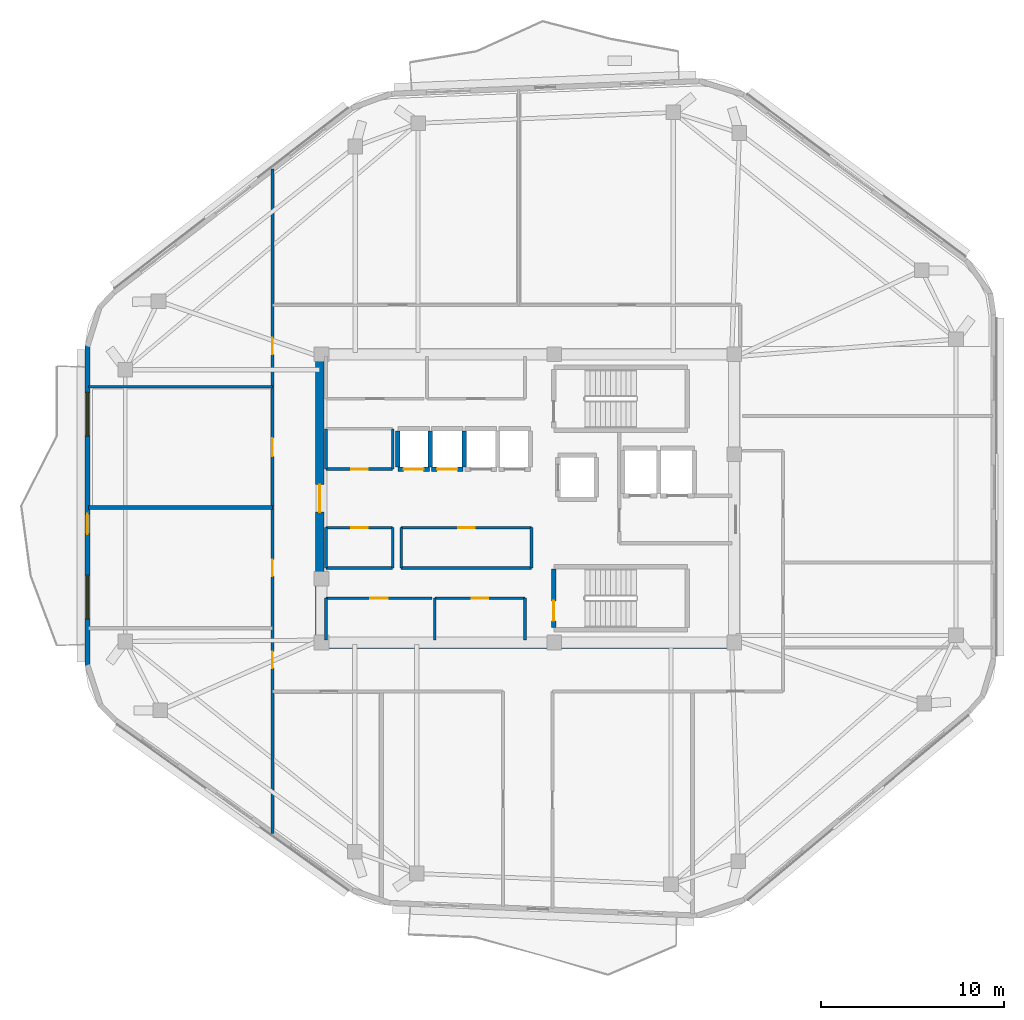
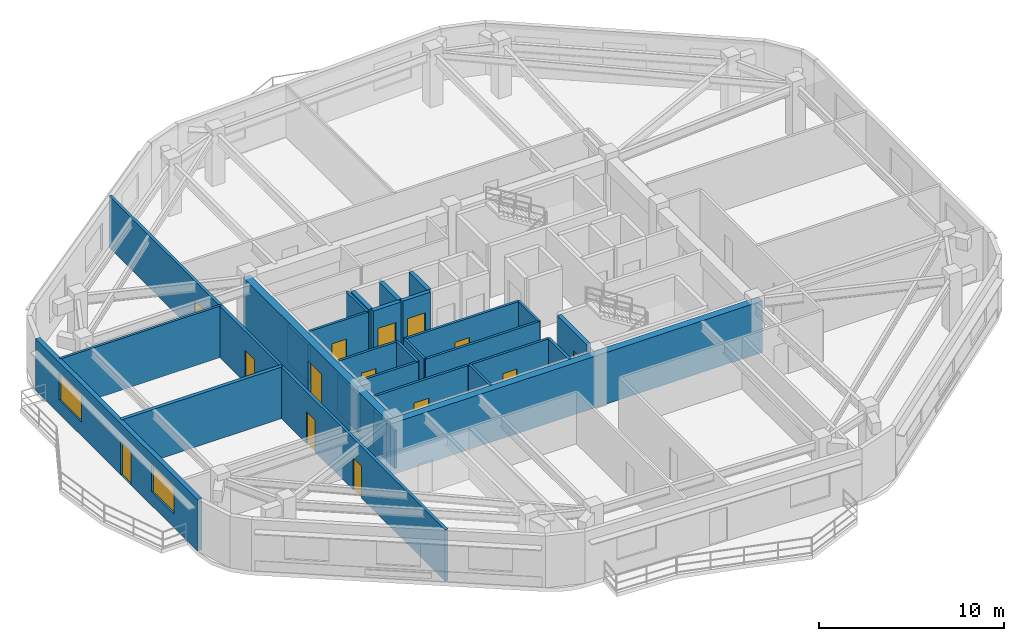
# One storey, part 3 of 9: 28 walls, 14 doors, 2 windows, 16 openings.
"""IFC4 building model written with IfcOpenShell, lengths in metres."""

from ifc_helpers import new_model, si_unit, direction, frame, frame_2d, origin, place, context, subcontext, project, spatial, rectangle, extrude, material, layer, layer_set, type_object, element, fill, save


model = new_model("IFC4")

# Units and contexts
model_context = context("Model", 3, precision=1e-05, world=origin(), true_north=direction((0.0, 1.0)))
body_context = subcontext(model_context, "Body", "Model", "MODEL_VIEW")
ifc_project = project(units=[si_unit("LENGTHUNIT", "METRE"), si_unit("AREAUNIT", "SQUARE_METRE"), si_unit("VOLUMEUNIT", "CUBIC_METRE"), si_unit("PLANEANGLEUNIT", "RADIAN"), si_unit("MASSUNIT", "GRAM", prefix="KILO")], contexts=[model_context])

# Site, building, storey
site_placement = place(None, origin())
site = spatial("IfcSite", under=ifc_project, at=site_placement, CompositionType="ELEMENT")
building_placement = place(site_placement, origin())
building = spatial("IfcBuilding", under=site, at=building_placement, Name="Zulverin Broadcast Headquarters", CompositionType="ELEMENT")
storey_placement = place(building_placement, frame((0.0, 0.0, 304.800048828125)))
storey = spatial("IfcBuildingStorey", under=building, at=storey_placement, Name="L78", CompositionType="ELEMENT", Elevation=304.800048828125)

# Walls
ifc_material_1 = material(Name="Double-stud acoustic drywall", Category="gypsum")
ifc_layer_1 = layer(ifc_material_1, 0.219970703125, Name="Double-stud acoustic drywall", Category="gypsum")
ifc_layer_set_1 = layer_set([ifc_layer_1], Name="Double-stud acoustic drywall")
wall_type_1 = type_object("IfcWallType", Name="WL-ACOU-220", PredefinedType="PARTITIONING", material=ifc_layer_set_1)
wall_1_placement = place(storey_placement, frame((13.0048828125, 24.699951171875, 0.0), z_axis=(0.0, 0.0, 1.0), x_axis=(1.0, 0.0, 0.0)))
element("IfcWall", 1, at=wall_1_placement, inside=storey, type_object=wall_type_1, Name="L78 Room Partition Wall RP-14", PredefinedType="PARTITIONING", context=body_context, shape_type="SweptSolid", body=[
    extrude(rectangle(XDim=10.045166015625, YDim=0.219970703125, at=frame_2d((5.0224609375, 0.0))), origin(), (0.0, 0.0, 1.0), 3.39990234375),
])
ifc_material_2 = material(Name="Concrete C50/60", Category="concrete")
ifc_layer_2 = layer(ifc_material_2, 0.449951171875, Name="Concrete C50/60", Category="concrete")
ifc_layer_set_2 = layer_set([ifc_layer_2], Name="Concrete C50/60")
wall_type_2 = type_object("IfcWallType", Name="WL-CORE-450", PredefinedType="SHEAR", material=ifc_layer_set_2)
wall_2_placement = place(storey_placement, frame((25.39990234375, 17.22509765625, 0.0), z_axis=(0.0, 0.0, 1.0), x_axis=(1.0, 0.0, 0.0)))
element("IfcWall", 2, at=wall_2_placement, inside=storey, type_object=wall_type_2, Name="L78 Core South Shear Wall", PredefinedType="SHEAR", context=body_context, shape_type="SweptSolid", body=[
    extrude(rectangle(XDim=23.2001953125, YDim=0.449951171875, at=frame_2d((11.60009765625, 0.0))), origin(), (0.0, 0.0, 1.0), 3.39990234375),
])

# Wall, opening, door
wall_3_placement = place(storey_placement, frame((25.625, 17.449951171875, 0.0), z_axis=(0.0, 0.0, 1.0), x_axis=(0.0, 1.0, 0.0)))
wall_3 = element("IfcWall", 3, at=wall_3_placement, inside=storey, type_object=wall_type_2, Name="L78 Core West Shear Wall", PredefinedType="SHEAR", context=body_context, shape_type="SweptSolid", body=[
    extrude(rectangle(XDim=15.5, YDim=0.449951171875, at=frame_2d((7.75, 0.0))), origin(), (0.0, 0.0, 1.0), 3.39990234375),
])
opening_1_placement = place(wall_3_placement, frame((7.0, 0.0, 0.0)))
opening_1 = element("IfcOpeningElement", 4, at=opening_1_placement, cuts=wall_3, Name="Opening D-L78-CW1", PredefinedType="OPENING", context=body_context, shape_type="SweptSolid", body=[
    extrude(rectangle(XDim=1.5, YDim=2.14990234375, at=frame_2d((0.75, 1.074951171875))), frame((0.0, 0.23486328125, 0.0), z_axis=(0.0, -1.0, 0.0), x_axis=(1.0, 0.0, 0.0)), (0.0, 0.0, 1.0), 0.469970703125),
])
ifc_material_3 = material(Name="Fire-rated glazed steel frame", Category="steel")
door_type_1 = type_object("IfcDoorType", Name="DR-COR-1500", OperationType="DOUBLE_DOOR_SINGLE_SWING", PredefinedType="DOOR", material=ifc_material_3)
door_1_placement = place(opening_1_placement, origin())
door_1 = element("IfcDoor", 5, at=door_1_placement, inside=storey, type_object=door_type_1, Name="L78 Central Lift Lobby West Portal Door", OperationType="DOUBLE_DOOR_SINGLE_SWING", OverallHeight=2.14990234375, OverallWidth=1.5, PredefinedType="DOOR", context=body_context, shape_type="SweptSolid", body=[
    extrude(rectangle(XDim=1.5, YDim=2.14990234375, at=frame_2d((0.75, 1.074951171875))), frame((0.0, 0.02490234375, 0.0), z_axis=(0.0, -1.0, 0.0), x_axis=(1.0, 0.0, 0.0)), (0.0, 0.0, 1.0), 0.050048828125),
])
fill(opening_1, door_1)

# Wall, openings, door, windows
ifc_material_4 = material(Name="Insulated pale-metal clad concrete spandrel C40/50", Category="concrete")
ifc_layer_3 = layer(ifc_material_4, 0.280029296875, Name="Insulated pale-metal clad concrete spandrel C40/50", Category="concrete")
ifc_layer_set_3 = layer_set([ifc_layer_3], Name="Insulated pale-metal clad concrete spandrel C40/50")
wall_type_3 = type_object("IfcWallType", Name="WL-EXT-280", PredefinedType="STANDARD", material=ifc_layer_set_3)
wall_4_placement = place(storey_placement, frame((12.93994140625, 33.548095703125, 0.0), z_axis=(0.0, 0.0, 1.0), x_axis=(0.0, -1.0, 0.0)))
wall_4 = element("IfcWall", 6, at=wall_4_placement, inside=storey, type_object=wall_type_3, Name="L78 Pale-Metal Clad Spandrel Wall 7", PredefinedType="STANDARD", context=body_context, shape_type="SweptSolid", body=[
    extrude(rectangle(XDim=17.496337890625, YDim=0.280029296875, at=frame_2d((8.748046875, 0.0))), origin(), (0.0, 0.0, 1.0), 3.39990234375),
])
opening_2_placement = place(wall_4_placement, frame((9.1982421875, 0.0, 0.0)))
opening_2 = element("IfcOpeningElement", 7, at=opening_2_placement, cuts=wall_4, Name="Opening D-L78-TR7", PredefinedType="OPENING", context=body_context, shape_type="SweptSolid", body=[
    extrude(rectangle(XDim=1.10009765625, YDim=2.199951171875, at=frame_2d((0.550048828125, 1.10009765625))), frame((0.0, 0.14990234375, 0.0), z_axis=(0.0, -1.0, 0.0), x_axis=(1.0, 0.0, 0.0)), (0.0, 0.0, 1.0), 0.300048828125),
])
opening_3_placement = place(wall_4_placement, frame((2.54931640625, 0.0, 0.89990234375)))
opening_3 = element("IfcOpeningElement", 8, at=opening_3_placement, cuts=wall_4, Name="Opening W-L78-E71", PredefinedType="OPENING", context=body_context, shape_type="SweptSolid", body=[
    extrude(rectangle(XDim=2.39990234375, YDim=1.75, at=frame_2d((1.199951171875, 0.875))), frame((0.0, 0.14990234375, 0.0), z_axis=(0.0, -1.0, 0.0), x_axis=(1.0, 0.0, 0.0)), (0.0, 0.0, 1.0), 0.300048828125),
])
opening_4_placement = place(wall_4_placement, frame((12.546875, 0.0, 0.89990234375)))
opening_4 = element("IfcOpeningElement", 9, at=opening_4_placement, cuts=wall_4, Name="Opening W-L78-E72", PredefinedType="OPENING", context=body_context, shape_type="SweptSolid", body=[
    extrude(rectangle(XDim=2.39990234375, YDim=1.75, at=frame_2d((1.199951171875, 0.875))), frame((0.0, 0.14990234375, 0.0), z_axis=(0.0, -1.0, 0.0), x_axis=(1.0, 0.0, 0.0)), (0.0, 0.0, 1.0), 0.300048828125),
])
ifc_material_5 = material(Name="Thermally broken aluminium glazed", Category="aluminium")
door_type_2 = type_object("IfcDoorType", Name="DR-TERR-1100", OperationType="SINGLE_SWING_RIGHT", PredefinedType="DOOR", material=ifc_material_5)
door_2_placement = place(opening_2_placement, origin())
door_2 = element("IfcDoor", 10, at=door_2_placement, inside=storey, type_object=door_type_2, Name="L78 Planted Terrace Glazed Access Door 7", OperationType="SINGLE_SWING_RIGHT", OverallHeight=2.199951171875, OverallWidth=1.10009765625, PredefinedType="DOOR", context=body_context, shape_type="SweptSolid", body=[
    extrude(rectangle(XDim=1.10009765625, YDim=2.199951171875, at=frame_2d((0.550048828125, 1.10009765625))), frame((0.0, 0.02490234375, 0.0), z_axis=(0.0, -1.0, 0.0), x_axis=(1.0, 0.0, 0.0)), (0.0, 0.0, 1.0), 0.050048828125),
])
fill(opening_2, door_2)
ifc_material_6 = material(Name="Pale anodized aluminium frame with solar-control low-E double glazing", Category="aluminium")
window_type = type_object("IfcWindowType", Name="WIN-RIB-2400", PartitioningType="SINGLE_PANEL", PredefinedType="WINDOW", material=ifc_material_6)
window_1_placement = place(opening_3_placement, origin())
window_1 = element("IfcWindow", 11, at=window_1_placement, inside=storey, type_object=window_type, Name="L78 Ribbon Glazing Window 7 1", OverallHeight=1.75, OverallWidth=2.39990234375, PartitioningType="SINGLE_PANEL", PredefinedType="WINDOW", context=body_context, shape_type="SweptSolid", body=[
    extrude(rectangle(XDim=2.39990234375, YDim=1.75, at=frame_2d((1.199951171875, 0.875))), frame((0.0, 0.030029296875, 0.0), z_axis=(0.0, -1.0, 0.0), x_axis=(1.0, 0.0, 0.0)), (0.0, 0.0, 1.0), 0.06005859375),
])
fill(opening_3, window_1)
window_2_placement = place(opening_4_placement, origin())
window_2 = element("IfcWindow", 12, at=window_2_placement, inside=storey, type_object=window_type, Name="L78 Ribbon Glazing Window 7 2", OverallHeight=1.75, OverallWidth=2.39990234375, PartitioningType="SINGLE_PANEL", PredefinedType="WINDOW", context=body_context, shape_type="SweptSolid", body=[
    extrude(rectangle(XDim=2.39990234375, YDim=1.75, at=frame_2d((1.199951171875, 0.875))), frame((0.0, 0.030029296875, 0.0), z_axis=(0.0, -1.0, 0.0), x_axis=(1.0, 0.0, 0.0)), (0.0, 0.0, 1.0), 0.06005859375),
])
fill(opening_4, window_2)

# Wall, opening, door
ifc_material_7 = material(Name="Fire-rated gypsum stud partition", Category="gypsum")
ifc_layer_4 = layer(ifc_material_7, 0.14990234375, Name="Fire-rated gypsum stud partition", Category="gypsum")
ifc_layer_set_4 = layer_set([ifc_layer_4], Name="Fire-rated gypsum stud partition")
wall_type_4 = type_object("IfcWallType", Name="WL-PART-150", PredefinedType="PARTITIONING", material=ifc_layer_set_4)
wall_5_placement = place(storey_placement, frame((25.969970703125, 19.75, 0.0), z_axis=(0.0, 0.0, 1.0), x_axis=(1.0, 0.0, 0.0)))
wall_5 = element("IfcWall", 13, at=wall_5_placement, inside=storey, type_object=wall_type_4, Name="L78 Core Female WC Front Wall", PredefinedType="PARTITIONING", context=body_context, shape_type="SweptSolid", body=[
    extrude(rectangle(XDim=5.7900390625, YDim=0.14990234375, at=frame_2d((2.89501953125, 0.0))), origin(), (0.0, 0.0, 1.0), 3.39990234375),
])
opening_5_placement = place(wall_5_placement, frame((2.419921875, 0.0, 0.0)))
opening_5 = element("IfcOpeningElement", 14, at=opening_5_placement, cuts=wall_5, Name="Opening D-L78-SC1", PredefinedType="OPENING", context=body_context, shape_type="SweptSolid", body=[
    extrude(rectangle(XDim=0.949951171875, YDim=2.10009765625, at=frame_2d((0.47509765625, 1.050048828125))), frame((0.0, 0.0849609375, 0.0), z_axis=(0.0, -1.0, 0.0), x_axis=(1.0, 0.0, 0.0)), (0.0, 0.0, 1.0), 0.169921875),
])
ifc_material_8 = material(Name="Fire-rated moisture-resistant laminate leaf", Category="wood")
door_type_3 = type_object("IfcDoorType", Name="DR-WC-950", OperationType="SINGLE_SWING_LEFT", PredefinedType="DOOR", material=ifc_material_8)
door_3_placement = place(opening_5_placement, origin())
door_3 = element("IfcDoor", 15, at=door_3_placement, inside=storey, type_object=door_type_3, Name="L78 Female WC Door", OperationType="SINGLE_SWING_LEFT", OverallHeight=2.10009765625, OverallWidth=0.949951171875, PredefinedType="DOOR", context=body_context, shape_type="SweptSolid", body=[
    extrude(rectangle(XDim=0.949951171875, YDim=2.10009765625, at=frame_2d((0.47509765625, 1.050048828125))), frame((0.0, 0.02490234375, 0.0), z_axis=(0.0, -1.0, 0.0), x_axis=(1.0, 0.0, 0.0)), (0.0, 0.0, 1.0), 0.050048828125),
])
fill(opening_5, door_3)

# Wall
wall_6_placement = place(storey_placement, frame((25.969970703125, 17.449951171875, 0.0), z_axis=(0.0, 0.0, 1.0), x_axis=(0.0, 1.0, 0.0)))
element("IfcWall", 16, at=wall_6_placement, inside=storey, type_object=wall_type_4, Name="L78 Core Female WC West Wall", PredefinedType="PARTITIONING", context=body_context, shape_type="SweptSolid", body=[
    extrude(rectangle(XDim=2.300048828125, YDim=0.14990234375, at=frame_2d((1.14990234375, 0.0))), origin(), (0.0, 0.0, 1.0), 2.5),
])

# Wall, opening, door
wall_7_placement = place(storey_placement, frame((31.919921875, 19.75, 0.0), z_axis=(0.0, 0.0, 1.0), x_axis=(1.0, 0.0, 0.0)))
wall_7 = element("IfcWall", 17, at=wall_7_placement, inside=storey, type_object=wall_type_4, Name="L78 Core Cleaner Store & Telecoms Riser Front Wall", PredefinedType="PARTITIONING", context=body_context, shape_type="SweptSolid", body=[
    extrude(rectangle(XDim=4.93017578125, YDim=0.14990234375, at=frame_2d((2.465087890625, 0.0))), origin(), (0.0, 0.0, 1.0), 3.39990234375),
])
opening_6_placement = place(wall_7_placement, frame((2.014892578125, 0.0, 0.0)))
opening_6 = element("IfcOpeningElement", 18, at=opening_6_placement, cuts=wall_7, Name="Opening D-L78-SC2", PredefinedType="OPENING", context=body_context, shape_type="SweptSolid", body=[
    extrude(rectangle(XDim=0.89990234375, YDim=2.10009765625, at=frame_2d((0.449951171875, 1.050048828125))), frame((0.0, 0.0849609375, 0.0), z_axis=(0.0, -1.0, 0.0), x_axis=(1.0, 0.0, 0.0)), (0.0, 0.0, 1.0), 0.169921875),
])
ifc_material_9 = material(Name="Powder-coated steel access leaf", Category="steel")
door_type_4 = type_object("IfcDoorType", Name="DR-RISER-900", OperationType="SINGLE_SWING_LEFT", PredefinedType="DOOR", material=ifc_material_9)
door_4_placement = place(opening_6_placement, origin())
door_4 = element("IfcDoor", 19, at=door_4_placement, inside=storey, type_object=door_type_4, Name="L78 Cleaner Store & Telecoms Riser Door", OperationType="SINGLE_SWING_RIGHT", OverallHeight=2.10009765625, OverallWidth=0.89990234375, PredefinedType="DOOR", context=body_context, shape_type="SweptSolid", body=[
    extrude(rectangle(XDim=0.89990234375, YDim=2.10009765625, at=frame_2d((0.449951171875, 1.050048828125))), frame((0.0, 0.02490234375, 0.0), z_axis=(0.0, -1.0, 0.0), x_axis=(1.0, 0.0, 0.0)), (0.0, 0.0, 1.0), 0.050048828125),
])
fill(opening_6, door_4)

# Walls
for number, where, z_axis, x_axis, name in (
    (20, (31.919921875, 17.449951171875, 0.0), (0.0, 0.0, 1.0), (0.0, 1.0, 0.0), "L78 Core Cleaner Store & Telecoms Riser West Wall"),
    (21, (36.85009765625, 17.449951171875, 0.0), (0.0, 0.0, 1.0), (0.0, 1.0, 0.0), "L78 Core Cleaner Store & Telecoms Riser East Wall"),
):
    element("IfcWall", number, at=place(storey_placement, frame(where, z_axis=z_axis, x_axis=x_axis)), inside=storey, type_object=wall_type_4, Name=name, PredefinedType="PARTITIONING", context=body_context, shape_type="SweptSolid", body=[
        extrude(rectangle(XDim=2.300048828125, YDim=0.14990234375, at=frame_2d((1.14990234375, 0.0))), origin(), (0.0, 0.0, 1.0), 3.39990234375),
    ])

# Wall, opening, door
wall_8_placement = place(storey_placement, frame((25.969970703125, 26.800048828125, 0.0), z_axis=(0.0, 0.0, 1.0), x_axis=(1.0, 0.0, 0.0)))
wall_8 = element("IfcWall", 22, at=wall_8_placement, inside=storey, type_object=wall_type_4, Name="L78 Broadcast Signal Patch Room S Wall", PredefinedType="PARTITIONING", context=body_context, shape_type="SweptSolid", body=[
    extrude(rectangle(XDim=3.650146484375, YDim=0.14990234375, at=frame_2d((1.8251953125, 0.0))), origin(), (0.0, 0.0, 1.0), 3.39990234375),
])
opening_7_placement = place(wall_8_placement, frame((1.375, 0.0, 0.0)))
opening_7 = element("IfcOpeningElement", 23, at=opening_7_placement, cuts=wall_8, Name="Opening D-L78-RCLN", PredefinedType="OPENING", context=body_context, shape_type="SweptSolid", body=[
    extrude(rectangle(XDim=0.89990234375, YDim=2.10009765625, at=frame_2d((0.449951171875, 1.050048828125))), frame((0.0, 0.0849609375, 0.0), z_axis=(0.0, -1.0, 0.0), x_axis=(1.0, 0.0, 0.0)), (0.0, 0.0, 1.0), 0.169921875),
])
door_5_placement = place(opening_7_placement, origin())
door_5 = element("IfcDoor", 24, at=door_5_placement, inside=storey, type_object=door_type_4, Name="L78 Broadcast Signal Patch Room Door", OperationType="SINGLE_SWING_LEFT", OverallHeight=2.10009765625, OverallWidth=0.89990234375, PredefinedType="DOOR", context=body_context, shape_type="SweptSolid", body=[
    extrude(rectangle(XDim=0.89990234375, YDim=2.10009765625, at=frame_2d((0.449951171875, 1.050048828125))), frame((0.0, 0.02490234375, 0.0), z_axis=(0.0, -1.0, 0.0), x_axis=(1.0, 0.0, 0.0)), (0.0, 0.0, 1.0), 0.050048828125),
])
fill(opening_7, door_5)

# Walls
wall_9_placement = place(storey_placement, frame((25.969970703125, 26.800048828125, 0.0), z_axis=(0.0, 0.0, 1.0), x_axis=(0.0, 1.0, 0.0)))
element("IfcWall", 25, at=wall_9_placement, inside=storey, type_object=wall_type_4, Name="L78 Broadcast Signal Patch Room W Wall", PredefinedType="PARTITIONING", context=body_context, shape_type="SweptSolid", body=[
    extrude(rectangle(XDim=2.199951171875, YDim=0.14990234375, at=frame_2d((1.10009765625, 0.0))), origin(), (0.0, 0.0, 1.0), 2.5),
])
wall_10_placement = place(storey_placement, frame((29.6201171875, 26.800048828125, 0.0), z_axis=(0.0, 0.0, 1.0), x_axis=(0.0, 1.0, 0.0)))
element("IfcWall", 26, at=wall_10_placement, inside=storey, type_object=wall_type_4, Name="L78 Broadcast Signal Patch Room E Wall", PredefinedType="PARTITIONING", context=body_context, shape_type="SweptSolid", body=[
    extrude(rectangle(XDim=2.199951171875, YDim=0.14990234375, at=frame_2d((1.10009765625, 0.0))), origin(), (0.0, 0.0, 1.0), 3.39990234375),
])
wall_11_placement = place(storey_placement, frame((25.969970703125, 21.39990234375, 0.0), z_axis=(0.0, 0.0, 1.0), x_axis=(1.0, 0.0, 0.0)))
element("IfcWall", 27, at=wall_11_placement, inside=storey, type_object=wall_type_4, Name="L78 Media Ingestion Server Room S Wall", PredefinedType="PARTITIONING", context=body_context, shape_type="SweptSolid", body=[
    extrude(rectangle(XDim=3.650146484375, YDim=0.14990234375, at=frame_2d((1.8251953125, 0.0))), origin(), (0.0, 0.0, 1.0), 3.39990234375),
])

# Wall, opening, door
wall_12_placement = place(storey_placement, frame((25.969970703125, 23.60009765625, 0.0), z_axis=(0.0, 0.0, 1.0), x_axis=(1.0, 0.0, 0.0)))
wall_12 = element("IfcWall", 28, at=wall_12_placement, inside=storey, type_object=wall_type_4, Name="L78 Media Ingestion Server Room N Wall", PredefinedType="PARTITIONING", context=body_context, shape_type="SweptSolid", body=[
    extrude(rectangle(XDim=3.650146484375, YDim=0.14990234375, at=frame_2d((1.8251953125, 0.0))), origin(), (0.0, 0.0, 1.0), 3.39990234375),
])
opening_8_placement = place(wall_12_placement, frame((1.375, 0.0, 0.0)))
opening_8 = element("IfcOpeningElement", 29, at=opening_8_placement, cuts=wall_12, Name="Opening D-L78-RCLS", PredefinedType="OPENING", context=body_context, shape_type="SweptSolid", body=[
    extrude(rectangle(XDim=0.89990234375, YDim=2.10009765625, at=frame_2d((0.449951171875, 1.050048828125))), frame((0.0, 0.0849609375, 0.0), z_axis=(0.0, -1.0, 0.0), x_axis=(1.0, 0.0, 0.0)), (0.0, 0.0, 1.0), 0.169921875),
])
door_6_placement = place(opening_8_placement, origin())
door_6 = element("IfcDoor", 30, at=door_6_placement, inside=storey, type_object=door_type_4, Name="L78 Media Ingestion Server Room Door", OperationType="SINGLE_SWING_RIGHT", OverallHeight=2.10009765625, OverallWidth=0.89990234375, PredefinedType="DOOR", context=body_context, shape_type="SweptSolid", body=[
    extrude(rectangle(XDim=0.89990234375, YDim=2.10009765625, at=frame_2d((0.449951171875, 1.050048828125))), frame((0.0, 0.02490234375, 0.0), z_axis=(0.0, -1.0, 0.0), x_axis=(1.0, 0.0, 0.0)), (0.0, 0.0, 1.0), 0.050048828125),
])
fill(opening_8, door_6)

# Walls
wall_13_placement = place(storey_placement, frame((25.969970703125, 21.39990234375, 0.0), z_axis=(0.0, 0.0, 1.0), x_axis=(0.0, 1.0, 0.0)))
element("IfcWall", 31, at=wall_13_placement, inside=storey, type_object=wall_type_4, Name="L78 Media Ingestion Server Room W Wall", PredefinedType="PARTITIONING", context=body_context, shape_type="SweptSolid", body=[
    extrude(rectangle(XDim=2.2001953125, YDim=0.14990234375, at=frame_2d((1.10009765625, 0.0))), origin(), (0.0, 0.0, 1.0), 2.5),
])
wall_14_placement = place(storey_placement, frame((29.6201171875, 21.39990234375, 0.0), z_axis=(0.0, 0.0, 1.0), x_axis=(0.0, 1.0, 0.0)))
element("IfcWall", 32, at=wall_14_placement, inside=storey, type_object=wall_type_4, Name="L78 Media Ingestion Server Room E Wall", PredefinedType="PARTITIONING", context=body_context, shape_type="SweptSolid", body=[
    extrude(rectangle(XDim=2.2001953125, YDim=0.14990234375, at=frame_2d((1.10009765625, 0.0))), origin(), (0.0, 0.0, 1.0), 3.39990234375),
])
wall_15_placement = place(storey_placement, frame((30.080078125, 21.39990234375, 0.0), z_axis=(0.0, 0.0, 1.0), x_axis=(1.0, 0.0, 0.0)))
element("IfcWall", 33, at=wall_15_placement, inside=storey, type_object=wall_type_4, Name="L78 Optical Telemetry Hub Room S Wall", PredefinedType="PARTITIONING", context=body_context, shape_type="SweptSolid", body=[
    extrude(rectangle(XDim=7.119873046875, YDim=0.14990234375, at=frame_2d((3.56005859375, 0.0))), origin(), (0.0, 0.0, 1.0), 3.39990234375),
])

# Wall, opening, door
wall_16_placement = place(storey_placement, frame((30.080078125, 23.60009765625, 0.0), z_axis=(0.0, 0.0, 1.0), x_axis=(1.0, 0.0, 0.0)))
wall_16 = element("IfcWall", 34, at=wall_16_placement, inside=storey, type_object=wall_type_4, Name="L78 Optical Telemetry Hub Room N Wall", PredefinedType="PARTITIONING", context=body_context, shape_type="SweptSolid", body=[
    extrude(rectangle(XDim=7.119873046875, YDim=0.14990234375, at=frame_2d((3.56005859375, 0.0))), origin(), (0.0, 0.0, 1.0), 3.39990234375),
])
opening_9_placement = place(wall_16_placement, frame((3.110107421875, 0.0, 0.0)))
opening_9 = element("IfcOpeningElement", 35, at=opening_9_placement, cuts=wall_16, Name="Opening D-L78-RM1", PredefinedType="OPENING", context=body_context, shape_type="SweptSolid", body=[
    extrude(rectangle(XDim=0.89990234375, YDim=2.10009765625, at=frame_2d((0.449951171875, 1.050048828125))), frame((0.0, 0.0849609375, 0.0), z_axis=(0.0, -1.0, 0.0), x_axis=(1.0, 0.0, 0.0)), (0.0, 0.0, 1.0), 0.169921875),
])
door_7_placement = place(opening_9_placement, origin())
door_7 = element("IfcDoor", 36, at=door_7_placement, inside=storey, type_object=door_type_4, Name="L78 Optical Telemetry Hub Room Door", OperationType="SINGLE_SWING_LEFT", OverallHeight=2.10009765625, OverallWidth=0.89990234375, PredefinedType="DOOR", context=body_context, shape_type="SweptSolid", body=[
    extrude(rectangle(XDim=0.89990234375, YDim=2.10009765625, at=frame_2d((0.449951171875, 1.050048828125))), frame((0.0, 0.02490234375, 0.0), z_axis=(0.0, -1.0, 0.0), x_axis=(1.0, 0.0, 0.0)), (0.0, 0.0, 1.0), 0.050048828125),
])
fill(opening_9, door_7)

# Walls
for number, where, z_axis, x_axis, name in (
    (37, (30.080078125, 21.39990234375, 0.0), (0.0, 0.0, 1.0), (0.0, 1.0, 0.0), "L78 Optical Telemetry Hub Room W Wall"),
    (38, (37.199951171875, 21.39990234375, 0.0), (0.0, 0.0, 1.0), (0.0, 1.0, 0.0), "L78 Optical Telemetry Hub Room E Wall"),
):
    element("IfcWall", number, at=place(storey_placement, frame(where, z_axis=z_axis, x_axis=x_axis)), inside=storey, type_object=wall_type_4, Name=name, PredefinedType="PARTITIONING", context=body_context, shape_type="SweptSolid", body=[
        extrude(rectangle(XDim=2.2001953125, YDim=0.14990234375, at=frame_2d((1.10009765625, 0.0))), origin(), (0.0, 0.0, 1.0), 3.39990234375),
    ])
wall_17_placement = place(storey_placement, frame((13.0048828125, 31.300048828125, 0.0), z_axis=(0.0, 0.0, 1.0), x_axis=(1.0, 0.0, 0.0)))
element("IfcWall", 39, at=wall_17_placement, inside=storey, type_object=wall_type_4, Name="L78 Room Partition Wall RP-17", PredefinedType="PARTITIONING", context=body_context, shape_type="SweptSolid", body=[
    extrude(rectangle(XDim=10.045166015625, YDim=0.14990234375, at=frame_2d((5.0224609375, 0.0))), origin(), (0.0, 0.0, 1.0), 3.39990234375),
])

# Wall, openings, doors
ifc_material_10 = material(Name="Fire-rated acoustic stud wall", Category="gypsum")
ifc_layer_5 = layer(ifc_material_10, 0.175048828125, Name="Fire-rated acoustic stud wall", Category="gypsum")
ifc_layer_set_5 = layer_set([ifc_layer_5], Name="Fire-rated acoustic stud wall")
wall_type_5 = type_object("IfcWallType", Name="WL-PART-175", PredefinedType="PARTITIONING", material=ifc_layer_set_5)
wall_18_placement = place(storey_placement, frame((23.050048828125, 6.89404296875, 0.0), z_axis=(0.0, 0.0, 1.0), x_axis=(0.0, 1.0, 0.0)))
wall_18 = element("IfcWall", 40, at=wall_18_placement, inside=storey, type_object=wall_type_5, Name="L78 Gallery Partition Wall CG-08", PredefinedType="PARTITIONING", context=body_context, shape_type="SweptSolid", body=[
    extrude(rectangle(XDim=36.311767578125, YDim=0.175048828125, at=frame_2d((18.15576171875, 0.0))), origin(), (0.0, 0.0, 1.0), 3.39990234375),
])
opening_10_placement = place(wall_18_placement, frame((9.031005859375, 0.0, 0.0)))
opening_10 = element("IfcOpeningElement", 41, at=opening_10_placement, cuts=wall_18, Name="Opening D-L78-07", PredefinedType="OPENING", context=body_context, shape_type="SweptSolid", body=[
    extrude(rectangle(XDim=0.89990234375, YDim=2.10009765625, at=frame_2d((0.449951171875, 1.050048828125))), frame((0.0, 0.097412109375, 0.0), z_axis=(0.0, -1.0, 0.0), x_axis=(1.0, 0.0, 0.0)), (0.0, 0.0, 1.0), 0.195068359375),
])
opening_11_placement = place(wall_18_placement, frame((14.055908203125, 0.0, 0.0)))
opening_11 = element("IfcOpeningElement", 42, at=opening_11_placement, cuts=wall_18, Name="Opening D-L78-08", PredefinedType="OPENING", context=body_context, shape_type="SweptSolid", body=[
    extrude(rectangle(XDim=0.89990234375, YDim=2.10009765625, at=frame_2d((0.449951171875, 1.050048828125))), frame((0.0, 0.097412109375, 0.0), z_axis=(0.0, -1.0, 0.0), x_axis=(1.0, 0.0, 0.0)), (0.0, 0.0, 1.0), 0.195068359375),
])
opening_12_placement = place(wall_18_placement, frame((20.60595703125, 0.0, 0.0)))
opening_12 = element("IfcOpeningElement", 43, at=opening_12_placement, cuts=wall_18, Name="Opening D-L78-09", PredefinedType="OPENING", context=body_context, shape_type="SweptSolid", body=[
    extrude(rectangle(XDim=1.0, YDim=2.1201171875, at=frame_2d((0.5, 1.06005859375))), frame((0.0, 0.097412109375, 0.0), z_axis=(0.0, -1.0, 0.0), x_axis=(1.0, 0.0, 0.0)), (0.0, 0.0, 1.0), 0.195068359375),
])
opening_13_placement = place(wall_18_placement, frame((26.180908203125, 0.0, 0.0)))
opening_13 = element("IfcOpeningElement", 44, at=opening_13_placement, cuts=wall_18, Name="Opening D-L78-10", PredefinedType="OPENING", context=body_context, shape_type="SweptSolid", body=[
    extrude(rectangle(XDim=0.89990234375, YDim=2.10009765625, at=frame_2d((0.449951171875, 1.050048828125))), frame((0.0, 0.097412109375, 0.0), z_axis=(0.0, -1.0, 0.0), x_axis=(1.0, 0.0, 0.0)), (0.0, 0.0, 1.0), 0.195068359375),
])
ifc_material_11 = material(Name="Hardwood veneer acoustic leaf", Category="wood")
door_type_5 = type_object("IfcDoorType", Name="DR-OFF-1000", OperationType="SINGLE_SWING_LEFT", PredefinedType="DOOR", material=ifc_material_11)
door_8_placement = place(opening_12_placement, origin())
door_8 = element("IfcDoor", 45, at=door_8_placement, inside=storey, type_object=door_type_5, Name="L78 Amenity Management Office Door", OperationType="SINGLE_SWING_RIGHT", OverallHeight=2.1201171875, OverallWidth=1.0, PredefinedType="DOOR", context=body_context, shape_type="SweptSolid", body=[
    extrude(rectangle(XDim=1.0, YDim=2.1201171875, at=frame_2d((0.5, 1.06005859375))), frame((0.0, 0.02490234375, 0.0), z_axis=(0.0, -1.0, 0.0), x_axis=(1.0, 0.0, 0.0)), (0.0, 0.0, 1.0), 0.050048828125),
])
fill(opening_12, door_8)
ifc_material_12 = material(Name="Fire-rated hardwood veneer timber leaf", Category="wood")
door_type_6 = type_object("IfcDoorType", Name="DR-ROOM-900", OperationType="SINGLE_SWING_RIGHT", PredefinedType="DOOR", material=ifc_material_12)
door_9_placement = place(opening_10_placement, origin())
door_9 = element("IfcDoor", 46, at=door_9_placement, inside=storey, type_object=door_type_6, Name="L78 Sky Horizon Restaurant Door", OperationType="SINGLE_SWING_RIGHT", OverallHeight=2.10009765625, OverallWidth=0.89990234375, PredefinedType="DOOR", context=body_context, shape_type="SweptSolid", body=[
    extrude(rectangle(XDim=0.89990234375, YDim=2.10009765625, at=frame_2d((0.449951171875, 1.050048828125))), frame((0.0, 0.02490234375, 0.0), z_axis=(0.0, -1.0, 0.0), x_axis=(1.0, 0.0, 0.0)), (0.0, 0.0, 1.0), 0.050048828125),
])
fill(opening_10, door_9)
door_10_placement = place(opening_11_placement, origin())
door_10 = element("IfcDoor", 47, at=door_10_placement, inside=storey, type_object=door_type_6, Name="L78 Concierge Reception Door", OperationType="SINGLE_SWING_LEFT", OverallHeight=2.10009765625, OverallWidth=0.89990234375, PredefinedType="DOOR", context=body_context, shape_type="SweptSolid", body=[
    extrude(rectangle(XDim=0.89990234375, YDim=2.10009765625, at=frame_2d((0.449951171875, 1.050048828125))), frame((0.0, 0.02490234375, 0.0), z_axis=(0.0, -1.0, 0.0), x_axis=(1.0, 0.0, 0.0)), (0.0, 0.0, 1.0), 0.050048828125),
])
fill(opening_11, door_10)
door_11_placement = place(opening_13_placement, origin())
door_11 = element("IfcDoor", 48, at=door_11_placement, inside=storey, type_object=door_type_6, Name="L78 Club Committee Meeting Room Door", OperationType="SINGLE_SWING_LEFT", OverallHeight=2.10009765625, OverallWidth=0.89990234375, PredefinedType="DOOR", context=body_context, shape_type="SweptSolid", body=[
    extrude(rectangle(XDim=0.89990234375, YDim=2.10009765625, at=frame_2d((0.449951171875, 1.050048828125))), frame((0.0, 0.02490234375, 0.0), z_axis=(0.0, -1.0, 0.0), x_axis=(1.0, 0.0, 0.0)), (0.0, 0.0, 1.0), 0.050048828125),
])
fill(opening_13, door_11)

# Wall, opening, door
ifc_layer_6 = layer(ifc_material_2, 0.25, Name="Concrete C50/60", Category="concrete")
ifc_layer_set_6 = layer_set([ifc_layer_6], Name="Concrete C50/60")
wall_type_6 = type_object("IfcWallType", Name="WL-SHAFT-250", PredefinedType="SHEAR", material=ifc_layer_set_6)
wall_19_placement = place(storey_placement, frame((38.425048828125, 18.14990234375, 0.0), z_axis=(0.0, 0.0, 1.0), x_axis=(0.0, 1.0, 0.0)))
wall_19 = element("IfcWall", 49, at=wall_19_placement, inside=storey, type_object=wall_type_6, Name="L78 ST-2 Enclosure Wall W", PredefinedType="SHEAR", context=body_context, shape_type="SweptSolid", body=[
    extrude(rectangle(XDim=3.2001953125, YDim=0.25, at=frame_2d((1.60009765625, 0.0))), origin(), (0.0, 0.0, 1.0), 3.39990234375),
])
opening_14_placement = place(wall_19_placement, frame((0.35009765625, 0.0, 0.0)))
opening_14 = element("IfcOpeningElement", 50, at=opening_14_placement, cuts=wall_19, Name="Opening D-L78-ST-2", PredefinedType="OPENING", context=body_context, shape_type="SweptSolid", body=[
    extrude(rectangle(XDim=1.10009765625, YDim=2.14990234375, at=frame_2d((0.550048828125, 1.074951171875))), frame((0.0, 0.135009765625, 0.0), z_axis=(0.0, -1.0, 0.0), x_axis=(1.0, 0.0, 0.0)), (0.0, 0.0, 1.0), 0.27001953125),
])
ifc_material_13 = material(Name="Fire-rated steel leaf and frame", Category="steel")
door_type_7 = type_object("IfcDoorType", Name="DR-STAIR-1100", OperationType="SINGLE_SWING_LEFT", PredefinedType="DOOR", material=ifc_material_13)
door_12_placement = place(opening_14_placement, origin())
door_12 = element("IfcDoor", 51, at=door_12_placement, inside=storey, type_object=door_type_7, Name="L78 Exit Stair ST-2 Fire Door", OperationType="SINGLE_SWING_RIGHT", OverallHeight=2.14990234375, OverallWidth=1.10009765625, PredefinedType="DOOR", context=body_context, shape_type="SweptSolid", body=[
    extrude(rectangle(XDim=1.10009765625, YDim=2.14990234375, at=frame_2d((0.550048828125, 1.074951171875))), frame((0.0, 0.02490234375, 0.0), z_axis=(0.0, -1.0, 0.0), x_axis=(1.0, 0.0, 0.0)), (0.0, 0.0, 1.0), 0.050048828125),
])
fill(opening_14, door_12)

wall_20_placement = place(storey_placement, frame((29.89990234375, 26.800048828125, 0.0), z_axis=(0.0, 0.0, 1.0), x_axis=(1.0, 0.0, 0.0)))
wall_20 = element("IfcWall", 52, at=wall_20_placement, inside=storey, type_object=wall_type_6, Name="L78 Lift PL-H1 Shaft Wall S", PredefinedType="SHEAR", context=body_context, shape_type="SweptSolid", body=[
    extrude(rectangle(XDim=1.72021484375, YDim=0.25, at=frame_2d((0.860107421875, 0.0))), origin(), (0.0, 0.0, 1.0), 3.39990234375),
])
opening_15_placement = place(wall_20_placement, frame((0.31005859375, 0.0, 0.0)))
opening_15 = element("IfcOpeningElement", 53, at=opening_15_placement, cuts=wall_20, Name="Opening LD-PL-H1-L78", PredefinedType="OPENING", context=body_context, shape_type="SweptSolid", body=[
    extrude(rectangle(XDim=1.10009765625, YDim=2.14990234375, at=frame_2d((0.550048828125, 1.074951171875))), frame((0.0, 0.135009765625, 0.0), z_axis=(0.0, -1.0, 0.0), x_axis=(1.0, 0.0, 0.0)), (0.0, 0.0, 1.0), 0.27001953125),
])
ifc_material_14 = material(Name="Brushed stainless steel landing", Category="steel")
door_type_8 = type_object("IfcDoorType", Name="LD-PASS-1100", OperationType="DOUBLE_DOOR_SLIDING", PredefinedType="DOOR", material=ifc_material_14)
door_13_placement = place(opening_15_placement, origin())
door_13 = element("IfcDoor", 54, at=door_13_placement, inside=storey, type_object=door_type_8, Name="L78 Lift PL-H1 Sliding Landing Door", OperationType="DOUBLE_DOOR_SLIDING", OverallHeight=2.14990234375, OverallWidth=1.10009765625, PredefinedType="DOOR", context=body_context, shape_type="SweptSolid", body=[
    extrude(rectangle(XDim=1.10009765625, YDim=2.14990234375, at=frame_2d((0.550048828125, 1.074951171875))), frame((0.0, 0.02490234375, 0.0), z_axis=(0.0, -1.0, 0.0), x_axis=(1.0, 0.0, 0.0)), (0.0, 0.0, 1.0), 0.050048828125),
])
fill(opening_15, door_13)

# Walls
for number, where, z_axis, x_axis, name in (
    (55, (29.89990234375, 26.919921875, 0.0), (0.0, 0.0, 1.0), (0.0, 1.0, 0.0), "L78 Lift PL-H1 Shaft Wall W"),
    (56, (31.679931640625, 26.919921875, 0.0), (0.0, 0.0, 1.0), (0.0, 1.0, 0.0), "L78 Lift PL-H1 Shaft Wall E"),
):
    element("IfcWall", number, at=place(storey_placement, frame(where, z_axis=z_axis, x_axis=x_axis)), inside=storey, type_object=wall_type_6, Name=name, PredefinedType="SHEAR", context=body_context, shape_type="SweptSolid", body=[
        extrude(rectangle(XDim=1.9599609375, YDim=0.25, at=frame_2d((0.97998046875, 0.0))), origin(), (0.0, 0.0, 1.0), 3.39990234375),
    ])

# Wall, opening, door
wall_21_placement = place(storey_placement, frame((31.739990234375, 26.800048828125, 0.0), z_axis=(0.0, 0.0, 1.0), x_axis=(1.0, 0.0, 0.0)))
wall_21 = element("IfcWall", 57, at=wall_21_placement, inside=storey, type_object=wall_type_6, Name="L78 Lift PL-H2 Shaft Wall S", PredefinedType="SHEAR", context=body_context, shape_type="SweptSolid", body=[
    extrude(rectangle(XDim=1.719970703125, YDim=0.25, at=frame_2d((0.85986328125, 0.0))), origin(), (0.0, 0.0, 1.0), 3.39990234375),
])
opening_16_placement = place(wall_21_placement, frame((0.31005859375, 0.0, 0.0)))
opening_16 = element("IfcOpeningElement", 58, at=opening_16_placement, cuts=wall_21, Name="Opening LD-PL-H2-L78", PredefinedType="OPENING", context=body_context, shape_type="SweptSolid", body=[
    extrude(rectangle(XDim=1.10009765625, YDim=2.14990234375, at=frame_2d((0.550048828125, 1.074951171875))), frame((0.0, 0.135009765625, 0.0), z_axis=(0.0, -1.0, 0.0), x_axis=(1.0, 0.0, 0.0)), (0.0, 0.0, 1.0), 0.27001953125),
])
door_14_placement = place(opening_16_placement, origin())
door_14 = element("IfcDoor", 59, at=door_14_placement, inside=storey, type_object=door_type_8, Name="L78 Lift PL-H2 Sliding Landing Door", OperationType="DOUBLE_DOOR_SLIDING", OverallHeight=2.14990234375, OverallWidth=1.10009765625, PredefinedType="DOOR", context=body_context, shape_type="SweptSolid", body=[
    extrude(rectangle(XDim=1.10009765625, YDim=2.14990234375, at=frame_2d((0.550048828125, 1.074951171875))), frame((0.0, 0.02490234375, 0.0), z_axis=(0.0, -1.0, 0.0), x_axis=(1.0, 0.0, 0.0)), (0.0, 0.0, 1.0), 0.050048828125),
])
fill(opening_16, door_14)

# Wall
wall_22_placement = place(storey_placement, frame((33.52001953125, 26.919921875, 0.0), z_axis=(0.0, 0.0, 1.0), x_axis=(0.0, 1.0, 0.0)))
element("IfcWall", 60, at=wall_22_placement, inside=storey, type_object=wall_type_6, Name="L78 Lift PL-H2 Shaft Wall E", PredefinedType="SHEAR", context=body_context, shape_type="SweptSolid", body=[
    extrude(rectangle(XDim=1.9599609375, YDim=0.25, at=frame_2d((0.97998046875, 0.0))), origin(), (0.0, 0.0, 1.0), 3.39990234375),
])

save(model, "model.ifc")
